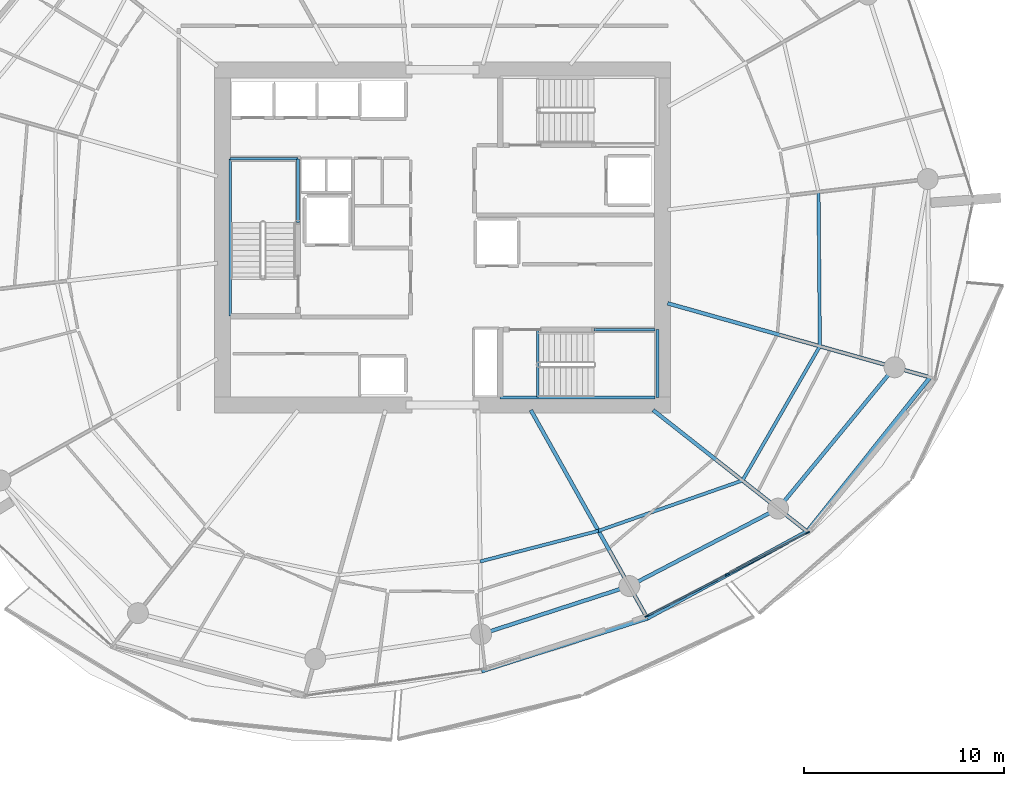
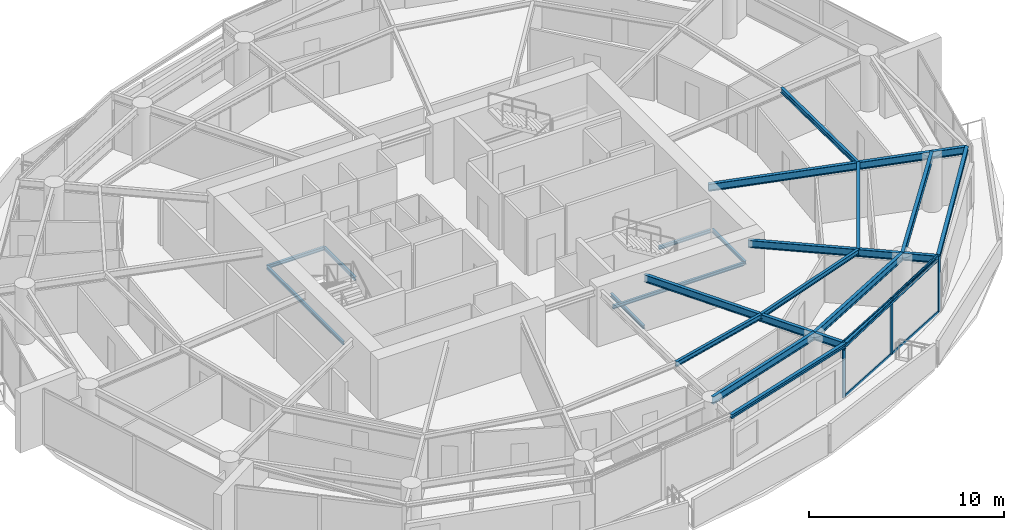
# One storey, part 6 of 20: 20 beams, 7 members, 1 element without a shape of its own.
"""IFC4 building model written with IfcOpenShell, lengths in metres."""

from ifc_helpers import new_model, si_unit, direction, frame, origin, origin_2d, place, context, subcontext, project, spatial, rectangle, i_section, extrude, material, layer, layer_set, material_profile, profile_set, type_object, element, aggregate, save


model = new_model("IFC4")

# Units and contexts
model_context = context("Model", 3, precision=1e-05, world=origin(), true_north=direction((0.0, 1.0)))
body_context = subcontext(model_context, "Body", "Model", "MODEL_VIEW")
ifc_project = project(units=[si_unit("LENGTHUNIT", "METRE"), si_unit("AREAUNIT", "SQUARE_METRE"), si_unit("VOLUMEUNIT", "CUBIC_METRE"), si_unit("PLANEANGLEUNIT", "RADIAN"), si_unit("MASSUNIT", "GRAM", prefix="KILO")], contexts=[model_context])

# Site, building, storey
site_placement = place(None, origin())
site = spatial("IfcSite", under=ifc_project, at=site_placement, CompositionType="ELEMENT")
building_placement = place(site_placement, origin())
building = spatial("IfcBuilding", under=site, at=building_placement, Name="Kazma Halo Residences", CompositionType="ELEMENT")
storey_placement = place(building_placement, frame((0.0, 0.0, 169.050048828125)))
storey = spatial("IfcBuildingStorey", under=building, at=storey_placement, Name="L42", CompositionType="ELEMENT", Elevation=169.050048828125)

# Beams
ifc_material_1 = material(Name="Steel S355", Category="steel")
ifc_material_profile_1 = material_profile(ifc_material_1, i_section(OverallWidth=0.201904296875, OverallDepth=0.2470703125, WebThickness=0.00732421875, FlangeThickness=0.010986328125, FilletRadius=0.011962890625, at=origin_2d()), Name="W250x49.1")
ifc_profile_set_1 = profile_set([ifc_material_profile_1], Name="Steel S355")
beam_type_1 = type_object("IfcBeamType", Name="BM-BAL-CANT", PredefinedType="BEAM", material=ifc_profile_set_1)
beam_1_placement = place(storey_placement, frame((50.37841796875, 20.269287109375, 3.37646484375), z_axis=(0.952724066304, 0.303836886315, 0.0), x_axis=(-0.303836886315, 0.952724066304, 0.0)))
element("IfcBeam", 1, at=beam_1_placement, inside=storey, type_object=beam_type_1, Name="L42 wave-balcony tie beam 12", PredefinedType="BEAM", context=body_context, shape_type="SweptSolid", body=[
    extrude(i_section(OverallWidth=0.201904296875, OverallDepth=0.2470703125, WebThickness=0.00732421875, FlangeThickness=0.010986328125, FilletRadius=0.011962890625, at=origin_2d()), origin(), (0.0, 0.0, 1.0), 8.719970703125),
])
beam_2_placement = place(storey_placement, frame((58.68603515625, 22.918701171875, 3.37646484375), z_axis=(0.878572913315, 0.477608245312, 0.0), x_axis=(-0.477608245312, 0.878572913315, 0.0)))
element("IfcBeam", 2, at=beam_2_placement, inside=storey, type_object=beam_type_1, Name="L42 wave-balcony tie beam 13", PredefinedType="BEAM", context=body_context, shape_type="SweptSolid", body=[
    extrude(i_section(OverallWidth=0.201904296875, OverallDepth=0.2470703125, WebThickness=0.00732421875, FlangeThickness=0.010986328125, FilletRadius=0.011962890625, at=origin_2d()), origin(), (0.0, 0.0, 1.0), 9.107177734375),
])
beam_3_placement = place(storey_placement, frame((66.687255859375, 27.268310546875, 3.37646484375), z_axis=(0.623742400336, 0.781629975131, 0.0), x_axis=(-0.781629975131, 0.623742400336, 0.0)))
element("IfcBeam", 3, at=beam_3_placement, inside=storey, type_object=beam_type_1, Name="L42 wave-balcony tie beam 14", PredefinedType="BEAM", context=body_context, shape_type="SweptSolid", body=[
    extrude(i_section(OverallWidth=0.201904296875, OverallDepth=0.2470703125, WebThickness=0.00732421875, FlangeThickness=0.010986328125, FilletRadius=0.011962890625, at=origin_2d()), origin(), (0.0, 0.0, 1.0), 9.880859375),
])
ifc_material_profile_2 = material_profile(ifc_material_1, i_section(OverallWidth=0.18994140625, OverallDepth=0.45703125, WebThickness=0.009033203125, FlangeThickness=0.014404296875, FilletRadius=0.01611328125, at=origin_2d()), Name="W460x74")
ifc_profile_set_2 = profile_set([ifc_material_profile_2], Name="Steel S355")
beam_type_2 = type_object("IfcBeamType", Name="BM-RAD-W460", PredefinedType="BEAM", material=ifc_profile_set_2)
beam_4_placement = place(storey_placement, frame((52.84423828125, 33.35009765625, 3.271484375), z_axis=(0.488617048735, -0.872498355119, 0.0), x_axis=(0.872498355119, 0.488617048735, 0.0)))
element("IfcBeam", 4, at=beam_4_placement, inside=storey, type_object=beam_type_2, Name="L42 radial floor beam 13", PredefinedType="BEAM", context=body_context, shape_type="SweptSolid", body=[
    extrude(i_section(OverallWidth=0.18994140625, OverallDepth=0.45703125, WebThickness=0.009033203125, FlangeThickness=0.014404296875, FilletRadius=0.01611328125, at=origin_2d()), origin(), (0.0, 0.0, 1.0), 11.955810546875),
])
beam_5_placement = place(storey_placement, frame((58.972412109375, 33.35009765625, 3.271484375), z_axis=(0.785322142498, -0.619087338347, 0.0), x_axis=(0.619087338347, 0.785322142498, 0.0)))
element("IfcBeam", 5, at=beam_5_placement, inside=storey, type_object=beam_type_2, Name="L42 radial floor beam 14", PredefinedType="BEAM", context=body_context, shape_type="SweptSolid", body=[
    extrude(i_section(OverallWidth=0.18994140625, OverallDepth=0.45703125, WebThickness=0.009033203125, FlangeThickness=0.014404296875, FilletRadius=0.01611328125, at=origin_2d()), origin(), (0.0, 0.0, 1.0), 9.82373046875),
])
beam_6_placement = place(storey_placement, frame((59.699951171875, 38.7001953125, 3.271484375), z_axis=(0.962456259321, -0.271436823024, 0.0), x_axis=(0.271436823024, 0.962456259321, 0.0)))
element("IfcBeam", 6, at=beam_6_placement, inside=storey, type_object=beam_type_2, Name="L42 radial floor beam 15", PredefinedType="BEAM", context=body_context, shape_type="SweptSolid", body=[
    extrude(i_section(OverallWidth=0.18994140625, OverallDepth=0.45703125, WebThickness=0.009033203125, FlangeThickness=0.014404296875, FilletRadius=0.01611328125, at=origin_2d()), origin(), (0.0, 0.0, 1.0), 13.663330078125),
])
ifc_material_profile_3 = material_profile(ifc_material_1, i_section(OverallWidth=0.1650390625, OverallDepth=0.31005859375, WebThickness=0.005859375, FlangeThickness=0.009765625, FilletRadius=0.011962890625, at=origin_2d()), Name="W310x38.7")
ifc_profile_set_3 = profile_set([ifc_material_profile_3], Name="Steel S355")
beam_type_3 = type_object("IfcBeamType", Name="BM-SEC-W310B", PredefinedType="JOIST", material=ifc_profile_set_3)
beam_7_placement = place(storey_placement, frame((50.303466796875, 25.76318359375, 3.344970703125), z_axis=(0.968017337658, 0.250883307524, 0.0), x_axis=(-0.250883307524, 0.968017337658, 0.0)))
element("IfcBeam", 7, at=beam_7_placement, inside=storey, type_object=beam_type_3, Name="L42 circumferential floor joist 12", PredefinedType="JOIST", context=body_context, shape_type="SweptSolid", body=[
    extrude(i_section(OverallWidth=0.1650390625, OverallDepth=0.31005859375, WebThickness=0.005859375, FlangeThickness=0.009765625, FilletRadius=0.011962890625, at=origin_2d()), origin(), (0.0, 0.0, 1.0), 6.124755859375),
])
beam_8_placement = place(storey_placement, frame((56.232421875, 27.2998046875, 3.344970703125), z_axis=(0.943956421223, 0.330070105935, 0.0), x_axis=(-0.330070105935, 0.943956421223, 0.0)))
element("IfcBeam", 8, at=beam_8_placement, inside=storey, type_object=beam_type_3, Name="L42 circumferential floor joist 13", PredefinedType="JOIST", context=body_context, shape_type="SweptSolid", body=[
    extrude(i_section(OverallWidth=0.1650390625, OverallDepth=0.31005859375, WebThickness=0.005859375, FlangeThickness=0.009765625, FilletRadius=0.011962890625, at=origin_2d()), origin(), (0.0, 0.0, 1.0), 7.642822265625),
])
beam_9_placement = place(storey_placement, frame((63.447021484375, 29.822509765625, 3.344970703125), z_axis=(0.499666203496, 0.866218035533, 0.0), x_axis=(-0.866218035533, 0.499666203496, 0.0)))
element("IfcBeam", 9, at=beam_9_placement, inside=storey, type_object=beam_type_3, Name="L42 circumferential floor joist 14", PredefinedType="JOIST", context=body_context, shape_type="SweptSolid", body=[
    extrude(i_section(OverallWidth=0.1650390625, OverallDepth=0.31005859375, WebThickness=0.005859375, FlangeThickness=0.009765625, FilletRadius=0.011962890625, at=origin_2d()), origin(), (0.0, 0.0, 1.0), 7.765380859375),
])
beam_10_placement = place(storey_placement, frame((67.3271484375, 36.549072265625, 3.344970703125), z_axis=(-0.008779348348, 0.999961460779, 0.0), x_axis=(-0.999961460779, -0.008779348348, 0.0)))
element("IfcBeam", 10, at=beam_10_placement, inside=storey, type_object=beam_type_3, Name="L42 circumferential floor joist 15", PredefinedType="JOIST", context=body_context, shape_type="SweptSolid", body=[
    extrude(i_section(OverallWidth=0.1650390625, OverallDepth=0.31005859375, WebThickness=0.005859375, FlangeThickness=0.009765625, FilletRadius=0.011962890625, at=origin_2d()), origin(), (0.0, 0.0, 1.0), 7.730712890625),
])
ifc_material_profile_4 = material_profile(ifc_material_1, i_section(OverallWidth=0.18994140625, OverallDepth=0.45703125, WebThickness=0.009033203125, FlangeThickness=0.014404296875, FilletRadius=0.01611328125, at=origin_2d()), Name="W460x74")
ifc_profile_set_4 = profile_set([ifc_material_profile_4], Name="Steel S355")
beam_type_4 = type_object("IfcBeamType", Name="BM-SPN-W460", PredefinedType="BEAM", material=ifc_profile_set_4)
beam_11_placement = place(storey_placement, frame((50.35302734375, 22.118896484375, 3.271484375), z_axis=(0.95105634578, 0.309017519167, 0.0), x_axis=(-0.309017519167, 0.95105634578, 0.0)))
element("IfcBeam", 11, at=beam_11_placement, inside=storey, type_object=beam_type_4, Name="L42 perimeter ring beam 12", PredefinedType="BEAM", context=body_context, shape_type="SweptSolid", body=[
    extrude(i_section(OverallWidth=0.18994140625, OverallDepth=0.45703125, WebThickness=0.009033203125, FlangeThickness=0.014404296875, FilletRadius=0.01611328125, at=origin_2d()), origin(), (0.0, 0.0, 1.0), 7.811279296875),
])
beam_12_placement = place(storey_placement, frame((57.781982421875, 24.53271484375, 3.271484375), z_axis=(0.886943099021, 0.461878706046, 0.0), x_axis=(-0.461878706046, 0.886943099021, 0.0)))
element("IfcBeam", 12, at=beam_12_placement, inside=storey, type_object=beam_type_4, Name="L42 perimeter ring beam 13", PredefinedType="BEAM", context=body_context, shape_type="SweptSolid", body=[
    extrude(i_section(OverallWidth=0.18994140625, OverallDepth=0.45703125, WebThickness=0.009033203125, FlangeThickness=0.014404296875, FilletRadius=0.01611328125, at=origin_2d()), origin(), (0.0, 0.0, 1.0), 8.40234375),
])
beam_13_placement = place(storey_placement, frame((65.234375, 28.41357421875, 3.271484375), z_axis=(0.636018723515, 0.771673624882, 0.0), x_axis=(-0.771673624882, 0.636018723515, 0.0)))
element("IfcBeam", 13, at=beam_13_placement, inside=storey, type_object=beam_type_4, Name="L42 perimeter ring beam 14", PredefinedType="BEAM", context=body_context, shape_type="SweptSolid", body=[
    extrude(i_section(OverallWidth=0.18994140625, OverallDepth=0.45703125, WebThickness=0.009033203125, FlangeThickness=0.014404296875, FilletRadius=0.01611328125, at=origin_2d()), origin(), (0.0, 0.0, 1.0), 9.175048828125),
])
ifc_material_profile_5 = material_profile(ifc_material_1, i_section(OverallWidth=0.133056640625, OverallDepth=0.20703125, WebThickness=0.005859375, FlangeThickness=0.00830078125, FilletRadius=0.010009765625, at=origin_2d()), Name="W200x26.6")
ifc_profile_set_5 = profile_set([ifc_material_profile_5], Name="Steel S355")
beam_type_5 = type_object("IfcBeamType", Name="BM-TRIM-W200", PredefinedType="BEAM", material=ifc_profile_set_5)
beam_14_placement = place(storey_placement, frame((53.199951171875, 34.0, -0.360107421875), z_axis=(0.0, 1.0, 0.0), x_axis=(-1.0, 0.0, 0.0)))
element("IfcBeam", 14, at=beam_14_placement, inside=storey, type_object=beam_type_5, Name="L42 ST-03 floor landing support beam", PredefinedType="BEAM", context=body_context, shape_type="SweptSolid", body=[
    extrude(i_section(OverallWidth=0.133056640625, OverallDepth=0.20703125, WebThickness=0.005859375, FlangeThickness=0.00830078125, FilletRadius=0.010009765625, at=origin_2d()), origin(), (0.0, 0.0, 1.0), 3.3798828125),
])
beam_15_placement = place(storey_placement, frame((37.780029296875, 38.06005859375, 1.570068359375), z_axis=(0.0, 1.0, 0.0), x_axis=(-1.0, 0.0, 0.0)))
element("IfcBeam", 15, at=beam_15_placement, inside=storey, type_object=beam_type_5, Name="L42 ST-01 landing west wall ledger", PredefinedType="BEAM", context=body_context, shape_type="SweptSolid", body=[
    extrude(i_section(OverallWidth=0.133056640625, OverallDepth=0.20703125, WebThickness=0.005859375, FlangeThickness=0.00830078125, FilletRadius=0.010009765625, at=origin_2d()), origin(), (0.0, 0.0, 1.0), 7.8798828125),
])
beam_16_placement = place(storey_placement, frame((41.179931640625, 42.75, 1.570068359375), z_axis=(0.0, 1.0, 0.0), x_axis=(-1.0, 0.0, 0.0)))
element("IfcBeam", 16, at=beam_16_placement, inside=storey, type_object=beam_type_5, Name="L42 ST-01 landing east wall ledger", PredefinedType="BEAM", context=body_context, shape_type="SweptSolid", body=[
    extrude(i_section(OverallWidth=0.133056640625, OverallDepth=0.20703125, WebThickness=0.005859375, FlangeThickness=0.00830078125, FilletRadius=0.010009765625, at=origin_2d()), origin(), (0.0, 0.0, 1.0), 3.18994140625),
])
beam_17_placement = place(storey_placement, frame((37.780029296875, 45.93994140625, 1.570068359375), z_axis=(1.0, 0.0, 0.0), x_axis=(0.0, 1.0, 0.0)))
element("IfcBeam", 17, at=beam_17_placement, inside=storey, type_object=beam_type_5, Name="L42 ST-01 landing end wall ledger", PredefinedType="BEAM", context=body_context, shape_type="SweptSolid", body=[
    extrude(i_section(OverallWidth=0.133056640625, OverallDepth=0.20703125, WebThickness=0.005859375, FlangeThickness=0.00830078125, FilletRadius=0.010009765625, at=origin_2d()), origin(), (0.0, 0.0, 1.0), 3.39990234375),
])
beam_18_placement = place(storey_placement, frame((51.31005859375, 33.97998046875, 1.570068359375), z_axis=(1.0, 0.0, 0.0), x_axis=(0.0, 1.0, 0.0)))
element("IfcBeam", 18, at=beam_18_placement, inside=storey, type_object=beam_type_5, Name="L42 ST-03 landing south wall ledger", PredefinedType="BEAM", context=body_context, shape_type="SweptSolid", body=[
    extrude(i_section(OverallWidth=0.133056640625, OverallDepth=0.20703125, WebThickness=0.005859375, FlangeThickness=0.00830078125, FilletRadius=0.010009765625, at=origin_2d()), origin(), (0.0, 0.0, 1.0), 7.760009765625),
])
beam_19_placement = place(storey_placement, frame((56.0, 37.3798828125, 1.570068359375), z_axis=(1.0, 0.0, 0.0), x_axis=(0.0, 1.0, 0.0)))
element("IfcBeam", 19, at=beam_19_placement, inside=storey, type_object=beam_type_5, Name="L42 ST-03 landing north wall ledger", PredefinedType="BEAM", context=body_context, shape_type="SweptSolid", body=[
    extrude(i_section(OverallWidth=0.133056640625, OverallDepth=0.20703125, WebThickness=0.005859375, FlangeThickness=0.00830078125, FilletRadius=0.010009765625, at=origin_2d()), origin(), (0.0, 0.0, 1.0), 3.070068359375),
])
beam_20_placement = place(storey_placement, frame((59.18994140625, 33.97998046875, 1.570068359375), z_axis=(0.0, 1.0, 0.0), x_axis=(-1.0, 0.0, 0.0)))
element("IfcBeam", 20, at=beam_20_placement, inside=storey, type_object=beam_type_5, Name="L42 ST-03 landing end wall ledger", PredefinedType="BEAM", context=body_context, shape_type="SweptSolid", body=[
    extrude(i_section(OverallWidth=0.133056640625, OverallDepth=0.20703125, WebThickness=0.005859375, FlangeThickness=0.00830078125, FilletRadius=0.010009765625, at=origin_2d()), origin(), (0.0, 0.0, 1.0), 3.39990234375),
])

# Curtain wall, members
ifc_material_2 = material(Name="Aluminium AW-6063 T6 and Triple-Silver Low-E Glass", Category="aluminium")
ifc_layer = layer(ifc_material_2, 0.219970703125)
ifc_layer_set = layer_set([ifc_layer], Name="Aluminium AW-6063 T6 and Triple-Silver Low-E Glass")
curtain_wall_type = type_object("IfcCurtainWallType", Name="CW-SYS-4", PredefinedType="NOTDEFINED", material=ifc_layer_set)
curtain_wall_placement = place(storey_placement, origin())
curtain_wall = element("IfcCurtainWall", 21, at=curtain_wall_placement, inside=storey, type_object=curtain_wall_type, Name="L42 unitised curtain wall B13", PredefinedType="NOTDEFINED")
ifc_material_3 = material(Name="Aluminium AW-6063 T6", Category="aluminium")
ifc_material_profile_6 = material_profile(ifc_material_3, rectangle(XDim=0.074951171875, YDim=0.219970703125, at=origin_2d()), Name="CWM-75x220")
ifc_profile_set_6 = profile_set([ifc_material_profile_6], Name="Aluminium AW-6063 T6")
member_type_1 = type_object("IfcMemberType", Name="CW-SYS-4-MUL", PredefinedType="MULLION", material=ifc_profile_set_6)
member_1_placement = place(storey_placement, frame((58.66552734375, 23.0322265625, 0.0), z_axis=(0.0, 0.0, 1.0), x_axis=(-0.460837484552, 0.887484542306, 0.0)))
member_1 = element("IfcMember", 22, at=member_1_placement, type_object=member_type_1, Name="CWS-4 mullion 1", PredefinedType="MULLION", context=body_context, shape_type="SweptSolid", body=[
    extrude(rectangle(XDim=0.074951171875, YDim=0.219970703125, at=origin_2d()), origin(), (0.0, 0.0, 1.0), 3.5),
])
member_2_placement = place(storey_placement, frame((62.686767578125, 25.120361328125, 0.0), z_axis=(0.0, 0.0, 1.0), x_axis=(-0.460837484552, 0.887484542306, 0.0)))
member_2 = element("IfcMember", 23, at=member_2_placement, type_object=member_type_1, Name="CWS-4 mullion 2", PredefinedType="MULLION", context=body_context, shape_type="SweptSolid", body=[
    extrude(rectangle(XDim=0.074951171875, YDim=0.219970703125, at=origin_2d()), origin(), (0.0, 0.0, 1.0), 3.5),
])
member_3_placement = place(storey_placement, frame((66.7080078125, 27.208251953125, 0.0), z_axis=(0.0, 0.0, 1.0), x_axis=(-0.460837484552, 0.887484542306, 0.0)))
member_3 = element("IfcMember", 24, at=member_3_placement, type_object=member_type_1, Name="CWS-4 mullion 3", PredefinedType="MULLION", context=body_context, shape_type="SweptSolid", body=[
    extrude(rectangle(XDim=0.074951171875, YDim=0.219970703125, at=origin_2d()), origin(), (0.0, 0.0, 1.0), 3.5),
])
ifc_material_profile_7 = material_profile(ifc_material_3, rectangle(XDim=0.074951171875, YDim=0.1650390625, at=origin_2d()), Name="CWT-75x165")
ifc_profile_set_7 = profile_set([ifc_material_profile_7], Name="Aluminium AW-6063 T6")
member_type_2 = type_object("IfcMemberType", Name="CW-SYS-4-TRN", PredefinedType="USERDEFINED", material=ifc_profile_set_7)
member_4_placement = place(storey_placement, frame((58.69873046875, 23.049560546875, 0.037353515625), z_axis=(0.887484872803, 0.460836848077, 0.0), x_axis=(-0.460836848077, 0.887484872803, 0.0)))
member_4 = element("IfcMember", 25, at=member_4_placement, type_object=member_type_2, Name="CWS-4 transom 1.1", ObjectType="TRANSOM", PredefinedType="USERDEFINED", context=body_context, shape_type="SweptSolid", body=[
    extrude(rectangle(XDim=0.074951171875, YDim=0.1650390625, at=origin_2d()), origin(), (0.0, 0.0, 1.0), 4.4560546875),
])
member_5_placement = place(storey_placement, frame((58.69873046875, 23.049560546875, 3.46240234375), z_axis=(0.887484872803, 0.460836848077, 0.0), x_axis=(-0.460836848077, 0.887484872803, 0.0)))
member_5 = element("IfcMember", 26, at=member_5_placement, type_object=member_type_2, Name="CWS-4 transom 1.2", ObjectType="TRANSOM", PredefinedType="USERDEFINED", context=body_context, shape_type="SweptSolid", body=[
    extrude(rectangle(XDim=0.074951171875, YDim=0.1650390625, at=origin_2d()), origin(), (0.0, 0.0, 1.0), 4.4560546875),
])
member_6_placement = place(storey_placement, frame((62.719970703125, 25.137451171875, 0.037353515625), z_axis=(0.887484872803, 0.460836848077, 0.0), x_axis=(-0.460836848077, 0.887484872803, 0.0)))
member_6 = element("IfcMember", 27, at=member_6_placement, type_object=member_type_2, Name="CWS-4 transom 2.1", ObjectType="TRANSOM", PredefinedType="USERDEFINED", context=body_context, shape_type="SweptSolid", body=[
    extrude(rectangle(XDim=0.074951171875, YDim=0.1650390625, at=origin_2d()), origin(), (0.0, 0.0, 1.0), 4.4560546875),
])
member_7_placement = place(storey_placement, frame((62.719970703125, 25.137451171875, 3.46240234375), z_axis=(0.887484872803, 0.460836848077, 0.0), x_axis=(-0.460836848077, 0.887484872803, 0.0)))
member_7 = element("IfcMember", 28, at=member_7_placement, type_object=member_type_2, Name="CWS-4 transom 2.2", ObjectType="TRANSOM", PredefinedType="USERDEFINED", context=body_context, shape_type="SweptSolid", body=[
    extrude(rectangle(XDim=0.074951171875, YDim=0.1650390625, at=origin_2d()), origin(), (0.0, 0.0, 1.0), 4.4560546875),
])
aggregate(curtain_wall, [member_1, member_2, member_3, member_4, member_5, member_6, member_7])

save(model, "model.ifc")
